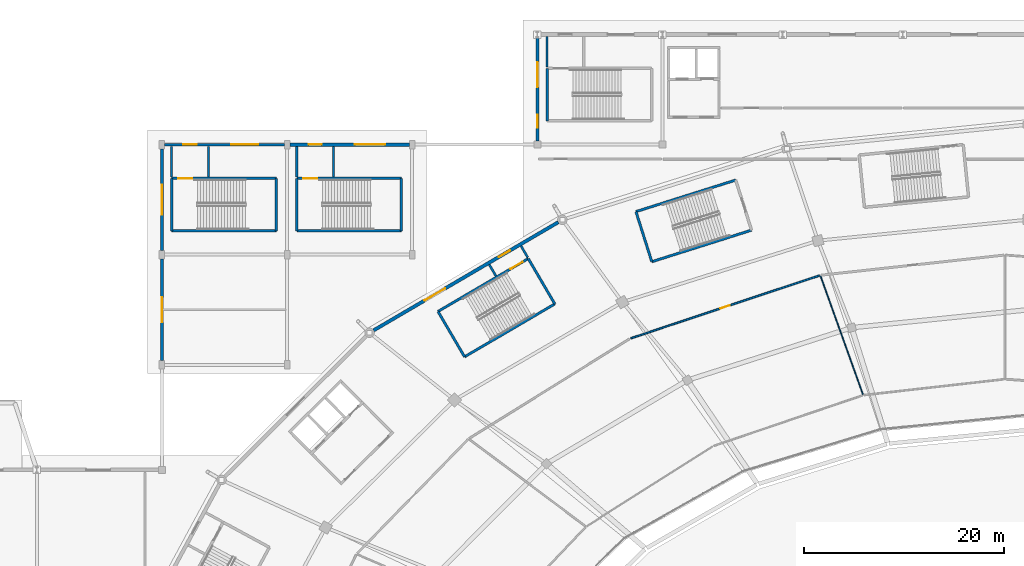
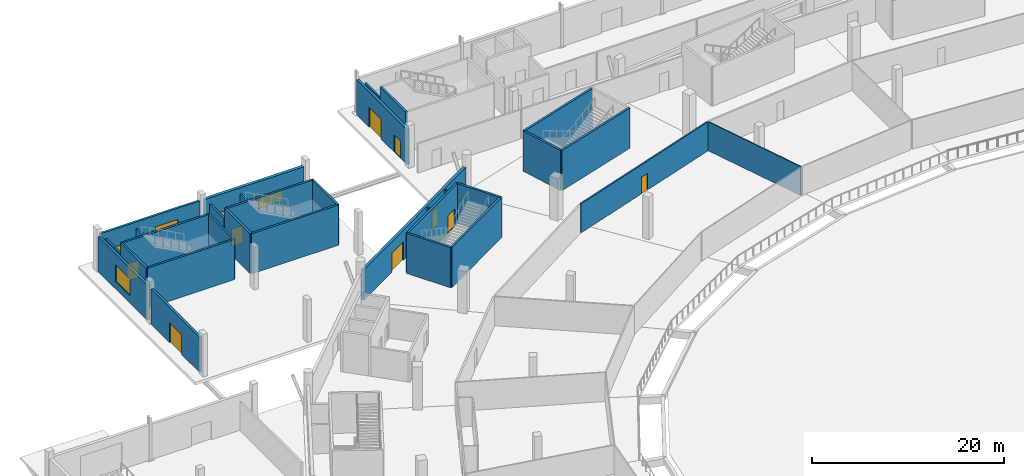
# One storey, part 49 of 82: 31 walls, 11 doors, 3 windows, 14 openings.
"""IFC4 building model written with IfcOpenShell, lengths in metres."""

import ifcopenshell
import ifcopenshell.guid

model = None  # the IFC model being written
_history = None  # IfcOwnerHistory: only IFC2X3 demands one
_inside = {}  # id of a spatial element -> (the spatial element, [elements in it])
_under = {}  # id of a project, library or spatial element -> (it, [spatial elements below it])
_declared = {}  # id of a project -> (the project, [libraries it declares])
_typed = {}  # id of a type object -> (the type object, [elements of that type])
_made_of = {}  # id of a material, layer set ... -> (it, [elements and type objects made of it])


def new_model(schema):
    """Start an empty IFC model of exactly this schema.

    Asked for "IFC4X3", IfcOpenShell would pick the latest addendum, in which some entities
    have other attributes; the version numbers below select the first issue.
    IFC2X3 requires an IfcOwnerHistory on every rooted entity: one is made here for all.
    """
    global model, _history
    if schema == "IFC4X3":
        model = ifcopenshell.file(schema_version=(4, 3, 0, 0))
    else:
        model = ifcopenshell.file(schema=schema)
    _inside.clear()
    _under.clear()
    _declared.clear()
    _typed.clear()
    _made_of.clear()
    _history = None
    if model.schema == "IFC2X3":
        org = make("IfcOrganization", Name="unknown")
        user = make(
            "IfcPersonAndOrganization",
            ThePerson=make("IfcPerson", FamilyName="unknown"),
            TheOrganization=org,
        )
        app = make(
            "IfcApplication",
            ApplicationDeveloper=org,
            Version="unknown",
            ApplicationFullName="unknown",
            ApplicationIdentifier="unknown",
        )
        _history = make(
            "IfcOwnerHistory",
            OwningUser=user,
            OwningApplication=app,
            ChangeAction="ADDED",
            CreationDate=0,
        )
    return model


def make(cls, **values):
    """One entity of the class cls with the attributes given. An attribute that is None is left unset."""
    return model.create_entity(
        cls, **{name: value for name, value in values.items() if value is not None}
    )


def rooted(cls, **values):
    """An entity with a GlobalId (a new one), such as an element, a storey or a relation."""
    return make(cls, GlobalId=ifcopenshell.guid.new(), OwnerHistory=_history, **values)


def si_unit(unit_type, name, prefix=None):
    """IfcSIUnit, for example si_unit("LENGTHUNIT", "METRE", prefix="MILLI")."""
    return make("IfcSIUnit", UnitType=unit_type, Prefix=prefix, Name=name)


def assignment(units):
    """IfcUnitAssignment: the units of a project."""
    return None if units is None else make("IfcUnitAssignment", Units=units)


def point(xyz):
    """IfcCartesianPoint."""
    return None if xyz is None else make("IfcCartesianPoint", Coordinates=xyz)


def direction(xyz):
    """IfcDirection."""
    return None if xyz is None else make("IfcDirection", DirectionRatios=xyz)


def frame(location, z_axis=None, x_axis=None):
    """IfcAxis2Placement3D, a coordinate frame: its origin and axes. An axis left out is left unset."""
    return make(
        "IfcAxis2Placement3D",
        Location=point(location),
        Axis=direction(z_axis),
        RefDirection=direction(x_axis),
    )


def frame_2d(location, x_axis=None):
    """IfcAxis2Placement2D, a coordinate frame in the plane: its origin and x axis."""
    return make(
        "IfcAxis2Placement2D", Location=point(location), RefDirection=direction(x_axis)
    )


def origin():
    """The frame at (0, 0, 0) with its axes left unset."""
    return frame((0.0, 0.0, 0.0))


def place(relative_to, where):
    """IfcLocalPlacement: puts the frame where relative to a parent placement (None: the world)."""
    return make(
        "IfcLocalPlacement", PlacementRelTo=relative_to, RelativePlacement=where
    )


def context(
    kind, dimensions, precision=None, world=None, true_north=None, identifier=None
):
    """IfcGeometricRepresentationContext, for example the 3D "Model" context."""
    return make(
        "IfcGeometricRepresentationContext",
        ContextIdentifier=identifier,
        ContextType=kind,
        CoordinateSpaceDimension=dimensions,
        Precision=precision,
        WorldCoordinateSystem=world,
        TrueNorth=true_north,
    )


def subcontext(parent, identifier, kind, view, scale=None):
    """IfcGeometricRepresentationSubContext, for example "Body" below "Model"."""
    return make(
        "IfcGeometricRepresentationSubContext",
        ContextIdentifier=identifier,
        ContextType=kind,
        ParentContext=parent,
        TargetScale=scale,
        TargetView=view,
    )


def project(units=None, contexts=None):
    """IfcProject with its units and contexts."""
    return rooted(
        "IfcProject",
        Name="project",
        RepresentationContexts=contexts,
        UnitsInContext=assignment(units),
    )


def spatial(cls, under=None, at=None, **own):
    """A site, building, storey or space (cls), placed at a placement, below another one or the project."""
    s = rooted(cls, ObjectPlacement=at, **own)
    if under is not None:
        _under.setdefault(under.id(), (under, []))[1].append(s)
    return s


def profile(cls, at=None, kind="AREA", **sizes):
    """A parametric profile (cls). Its sizes go by their IFC names, for example OverallWidth=200.0."""
    return make(cls, ProfileType=kind, Position=at, **sizes)


def rectangle(**sizes):
    """IfcRectangleProfileDef."""
    return profile("IfcRectangleProfileDef", **sizes)


def extrude(swept, where, along, depth):
    """IfcExtrudedAreaSolid: the profile swept, set in the frame where, extruded along a direction by depth."""
    return make(
        "IfcExtrudedAreaSolid",
        SweptArea=swept,
        Position=where,
        ExtrudedDirection=direction(along),
        Depth=depth,
    )


def shape(context_of_items, identifier, shape_type, items):
    """IfcShapeRepresentation: the items that make up one representation, for example the "Body"."""
    return make(
        "IfcShapeRepresentation",
        ContextOfItems=context_of_items,
        RepresentationIdentifier=identifier,
        RepresentationType=shape_type,
        Items=items,
    )


def material(Name=None, Category=None):
    """IfcMaterial."""
    return make("IfcMaterial", Name=Name, Category=Category)


def layer(
    of_material, thickness, ventilated=None, Name=None, Category=None, Priority=None
):
    """IfcMaterialLayer: one layer of a wall or slab, of a material (None: an air gap)."""
    return make(
        "IfcMaterialLayer",
        Material=of_material,
        LayerThickness=thickness,
        IsVentilated=ventilated,
        Name=Name,
        Category=Category,
        Priority=Priority,
    )


def layer_set(layers, Name=None):
    """IfcMaterialLayerSet."""
    return make("IfcMaterialLayerSet", MaterialLayers=layers, LayerSetName=Name)


def made_of(thing, what):
    """Note that an element or type object is made of a material, layer set ...; save() writes the relation."""
    if what is not None:
        _made_of.setdefault(what.id(), (what, []))[1].append(thing)
    return thing


def type_object(cls, material=None, **own):
    """A type object (cls), such as IfcWallType, which elements share."""
    return made_of(rooted(cls, **own), material)


def element(
    cls,
    number,
    at=None,
    inside=None,
    cuts=None,
    type_object=None,
    material=None,
    context=None,
    identifier="Body",
    shape_type=None,
    held_by="IfcProductDefinitionShape",
    body=None,
    shapes=None,
    **own,
):
    """One element of the class cls, such as IfcWall. Its Tag is "e" and its number.

    at: its placement. inside: the storey or other place that contains it. cuts: it is an
    opening in that element (IfcRelVoidsElement). A single representation is given by context,
    identifier, shape_type and body (its items); several are given by shapes. held_by: the class
    of the entity that holds the representations. save() writes the other relations.
    """
    e = rooted(cls, Tag="e%d" % number, ObjectPlacement=at, **own)
    if body is not None:
        shapes = [shape(context, identifier, shape_type, body)]
    if shapes is not None:
        e.Representation = make(held_by, Representations=shapes)
    if inside is not None:
        _inside.setdefault(inside.id(), (inside, []))[1].append(e)
    if cuts is not None:
        rooted(
            "IfcRelVoidsElement", RelatingBuildingElement=cuts, RelatedOpeningElement=e
        )
    if type_object is not None:
        _typed.setdefault(type_object.id(), (type_object, []))[1].append(e)
    return made_of(e, material)


def fill(opening, filler):
    """IfcRelFillsElement: the door or window that sits in an opening."""
    return rooted(
        "IfcRelFillsElement",
        RelatingOpeningElement=opening,
        RelatedBuildingElement=filler,
    )


def aggregate(whole, parts):
    """IfcRelAggregates: a whole, such as a stair, and the parts it consists of."""
    return rooted("IfcRelAggregates", RelatingObject=whole, RelatedObjects=parts)


def save(model, path):
    """Write the relations noted so far, then the file.

    IfcRelAggregates (storeys below a building ...), IfcRelContainedInSpatialStructure (elements
    in a storey), IfcRelDefinesByType, IfcRelAssociatesMaterial and IfcRelDeclares: one each for
    every whole, place, type object, material and project.
    """
    for whole, parts in _under.values():
        aggregate(whole, parts)
    for where, things in _inside.values():
        rooted(
            "IfcRelContainedInSpatialStructure",
            RelatedElements=things,
            RelatingStructure=where,
        )
    for kind, things in _typed.values():
        rooted("IfcRelDefinesByType", RelatedObjects=things, RelatingType=kind)
    for what, things in _made_of.values():
        rooted("IfcRelAssociatesMaterial", RelatedObjects=things, RelatingMaterial=what)
    for by, libraries in _declared.values():
        rooted("IfcRelDeclares", RelatingContext=by, RelatedDefinitions=libraries)
    model.write(path)


model = new_model("IFC4")

# Units and contexts
model_context = context("Model", 3, precision=1e-05, world=origin(), true_north=direction((0.0, 1.0)))
body_context = subcontext(model_context, "Body", "Model", "MODEL_VIEW")
ifc_project = project(units=[si_unit("LENGTHUNIT", "METRE"), si_unit("AREAUNIT", "SQUARE_METRE"), si_unit("VOLUMEUNIT", "CUBIC_METRE"), si_unit("PLANEANGLEUNIT", "RADIAN"), si_unit("MASSUNIT", "GRAM", prefix="KILO")], contexts=[model_context])

# Site, building, storey
site_placement = place(None, origin())
site = spatial("IfcSite", under=ifc_project, at=site_placement, CompositionType="ELEMENT")
building_placement = place(site_placement, origin())
building = spatial("IfcBuilding", under=site, at=building_placement, Name="Zlatoyarsky Gate Stadium", CompositionType="ELEMENT")
storey_placement = place(building_placement, origin())
storey = spatial("IfcBuildingStorey", under=building, at=storey_placement, Name="L00", CompositionType="ELEMENT", Elevation=0.0)

# Wall, opening, door
ifc_material_1 = material(Name="Double-stud acoustic gypsum partition", Category="gypsum")
ifc_layer_1 = layer(ifc_material_1, 0.169921875)
ifc_layer_set_1 = layer_set([ifc_layer_1], Name="Double-stud acoustic gypsum partition")
wall_type_1 = type_object("IfcWallType", Name="ACOUSTIC BROADCAST STUDIO WALL 170", PredefinedType="PARTITIONING", material=ifc_layer_set_1)
wall_1_placement = place(storey_placement, frame((90.183349609375, 135.920654296875, 0.0), z_axis=(0.0, 0.0, 1.0), x_axis=(-0.948842999625, -0.315748257419, 0.0)))
wall_1 = element("IfcWall", 1, at=wall_1_placement, inside=storey, type_object=wall_type_1, Name="L00 interior partition PRT-L00-ICC-07", PredefinedType="PARTITIONING", context=body_context, shape_type="SweptSolid", body=[
    extrude(rectangle(XDim=19.8583984375, YDim=0.169921875, at=frame_2d((9.92919921875, 0.0))), origin(), (0.0, 0.0, 1.0), 3.68994140625),
])
opening_1_placement = place(wall_1_placement, frame((9.44921875, 0.0, 0.0)))
opening_1 = element("IfcOpeningElement", 2, at=opening_1_placement, cuts=wall_1, Name="Opening D-L00-130", PredefinedType="OPENING", context=body_context, shape_type="SweptSolid", body=[
    extrude(rectangle(XDim=0.9599609375, YDim=2.10009765625, at=frame_2d((0.47998046875, 1.050048828125))), frame((0.0, 0.094970703125, 0.0), z_axis=(0.0, -1.0, 0.0), x_axis=(1.0, 0.0, 0.0)), (0.0, 0.0, 1.0), 0.18994140625),
])
ifc_material_2 = material(Name="Powder-coated steel fire door", Category="steel")
door_type_1 = type_object("IfcDoorType", Name="ACOUSTIC INTERIOR DOOR 960X2100", OperationType="NOTDEFINED", PredefinedType="DOOR", material=ifc_material_2)
door_1_placement = place(opening_1_placement, origin())
door_1 = element("IfcDoor", 3, at=door_1_placement, inside=storey, type_object=door_type_1, Name="L00 room door D-L00-130", OperationType="SINGLE_SWING_RIGHT", OverallHeight=2.10009765625, OverallWidth=0.9599609375, PredefinedType="DOOR", context=body_context, shape_type="SweptSolid", body=[
    extrude(rectangle(XDim=0.9599609375, YDim=2.10009765625, at=frame_2d((0.47998046875, 1.050048828125))), frame((0.0, 0.02490234375, 0.0), z_axis=(0.0, -1.0, 0.0), x_axis=(1.0, 0.0, 0.0)), (0.0, 0.0, 1.0), 0.050048828125),
])
fill(opening_1, door_1)

# Wall
ifc_material_3 = material(Name="Concrete C40/50", Category="concrete")
ifc_layer_2 = layer(ifc_material_3, 0.25)
ifc_layer_set_2 = layer_set([ifc_layer_2], Name="Concrete C40/50")
wall_type_2 = type_object("IfcWallType", Name="CONCRETE STAIR CORE SHEAR WALL 250", PredefinedType="SHEAR", material=ifc_layer_set_2)
wall_2_placement = place(storey_placement, frame((63.74658203125, 133.083984375, 0.0), z_axis=(0.0, 0.0, 1.0), x_axis=(-0.505460490551, 0.862849750821, 0.0)))
element("IfcWall", 4, at=wall_2_placement, inside=storey, type_object=wall_type_2, Name="ST-05 L00 stair core entrance shear wall", PredefinedType="SHEAR", context=body_context, shape_type="SweptSolid", body=[
    extrude(rectangle(XDim=5.249755859375, YDim=0.25, at=frame_2d((2.625, 0.0))), origin(), (0.0, 0.0, 1.0), 5.10009765625),
])

# Wall, opening, door
wall_3_placement = place(storey_placement, frame((61.093017578125, 137.61376953125, 0.0), z_axis=(0.0, 0.0, 1.0), x_axis=(-0.862854686184, -0.505452065513, 0.0)))
wall_3 = element("IfcWall", 5, at=wall_3_placement, inside=storey, type_object=wall_type_2, Name="ST-05 L00 stair core left shear wall", PredefinedType="SHEAR", context=body_context, shape_type="SweptSolid", body=[
    extrude(rectangle(XDim=10.449951171875, YDim=0.25, at=frame_2d((5.22509765625, 0.0))), origin(), (0.0, 0.0, 1.0), 5.10009765625),
])
opening_2_placement = place(wall_3_placement, frame((0.64990234375, 0.0, 0.0)))
opening_2 = element("IfcOpeningElement", 6, at=opening_2_placement, cuts=wall_3, Name="Opening SD-ST-05-L00", PredefinedType="OPENING", context=body_context, shape_type="SweptSolid", body=[
    extrude(rectangle(XDim=1.39990234375, YDim=2.199951171875, at=frame_2d((0.699951171875, 1.10009765625))), frame((0.0, 0.135009765625, 0.0), z_axis=(0.0, -1.0, 0.0), x_axis=(1.0, 0.0, 0.0)), (0.0, 0.0, 1.0), 0.27001953125),
])
door_type_2 = type_object("IfcDoorType", Name="STAIR CORE FIRE EXIT DOOR 1400X2200", OperationType="NOTDEFINED", PredefinedType="DOOR", material=ifc_material_2)
door_2_placement = place(opening_2_placement, frame((1.39990234375, 0.0, 0.0), z_axis=(0.0, 0.0, 1.0), x_axis=(-1.0, 0.0, 0.0)))
door_2 = element("IfcDoor", 7, at=door_2_placement, inside=storey, type_object=door_type_2, Name="ST-05 L00 protected exit discharge fire door", OperationType="SINGLE_SWING_RIGHT", OverallHeight=2.199951171875, OverallWidth=1.39990234375, PredefinedType="DOOR", context=body_context, shape_type="SweptSolid", body=[
    extrude(rectangle(XDim=1.39990234375, YDim=2.199951171875, at=frame_2d((0.699951171875, 1.10009765625))), frame((0.0, 0.02490234375, 0.0), z_axis=(0.0, -1.0, 0.0), x_axis=(1.0, 0.0, 0.0)), (0.0, 0.0, 1.0), 0.050048828125),
])
fill(opening_2, door_2)

# Walls
wall_4_placement = place(storey_placement, frame((52.076171875, 132.331787109375, 0.0), z_axis=(0.0, 0.0, 1.0), x_axis=(0.505474830399, -0.862841350327, 0.0)))
element("IfcWall", 8, at=wall_4_placement, inside=storey, type_object=wall_type_2, Name="ST-05 L00 stair core far shear wall", PredefinedType="SHEAR", context=body_context, shape_type="SweptSolid", body=[
    extrude(rectangle(XDim=5.250244140625, YDim=0.25, at=frame_2d((2.625, 0.0))), origin(), (0.0, 0.0, 1.0), 5.10009765625),
])
for number, where, z_axis, x_axis, name in (
    (9, (54.72998046875, 127.8017578125, 0.0), (0.0, 0.0, 1.0), (0.862838527648, 0.505479648657, 0.0), "ST-05 L00 stair core right shear wall"),
    (10, (81.8173828125, 145.457763671875, 0.0), (0.0, 0.0, 1.0), (-0.953459710305, -0.301520448438, 0.0), "ST-14 L00 stair core left shear wall"),
):
    element("IfcWall", number, at=place(storey_placement, frame(where, z_axis=z_axis, x_axis=x_axis)), inside=storey, type_object=wall_type_2, Name=name, PredefinedType="SHEAR", context=body_context, shape_type="SweptSolid", body=[
        extrude(rectangle(XDim=10.449951171875, YDim=0.25, at=frame_2d((5.22509765625, 0.0))), origin(), (0.0, 0.0, 1.0), 5.10009765625),
    ])
wall_5_placement = place(storey_placement, frame((71.853759765625, 142.306884765625, 0.0), z_axis=(0.0, 0.0, 1.0), x_axis=(0.30152749866, -0.953457480726, 0.0)))
element("IfcWall", 11, at=wall_5_placement, inside=storey, type_object=wall_type_2, Name="ST-14 L00 stair core far shear wall", PredefinedType="SHEAR", context=body_context, shape_type="SweptSolid", body=[
    extrude(rectangle(XDim=5.25, YDim=0.25, at=frame_2d((2.625, 0.0))), origin(), (0.0, 0.0, 1.0), 5.10009765625),
])
wall_6_placement = place(storey_placement, frame((73.436767578125, 137.30126953125, 0.0), z_axis=(0.0, 0.0, 1.0), x_axis=(0.953459710305, 0.301520448438, 0.0)))
element("IfcWall", 12, at=wall_6_placement, inside=storey, type_object=wall_type_2, Name="ST-14 L00 stair core right shear wall", PredefinedType="SHEAR", context=body_context, shape_type="SweptSolid", body=[
    extrude(rectangle(XDim=10.449951171875, YDim=0.25, at=frame_2d((5.22509765625, 0.0))), origin(), (0.0, 0.0, 1.0), 5.10009765625),
])
wall_7_placement = place(storey_placement, frame((25.47509765625, 145.625, 0.0), z_axis=(0.0, 0.0, 1.0), x_axis=(0.0, -1.0, 0.0)))
element("IfcWall", 13, at=wall_7_placement, inside=storey, type_object=wall_type_2, Name="ST-25 L00 stair core entrance shear wall", PredefinedType="SHEAR", context=body_context, shape_type="SweptSolid", body=[
    extrude(rectangle(XDim=5.25, YDim=0.25, at=frame_2d((2.625, 0.0))), origin(), (0.0, 0.0, 1.0), 5.10009765625),
])
wall_8_placement = place(storey_placement, frame((25.47509765625, 140.375, 0.0), z_axis=(0.0, 0.0, 1.0), x_axis=(1.0, 0.0, 0.0)))
element("IfcWall", 14, at=wall_8_placement, inside=storey, type_object=wall_type_2, Name="ST-25 L00 stair core left shear wall", PredefinedType="SHEAR", context=body_context, shape_type="SweptSolid", body=[
    extrude(rectangle(XDim=10.449951171875, YDim=0.25, at=frame_2d((5.22509765625, 0.0))), origin(), (0.0, 0.0, 1.0), 5.10009765625),
])
wall_9_placement = place(storey_placement, frame((35.925048828125, 140.375, 0.0), z_axis=(0.0, 0.0, 1.0), x_axis=(0.0, 1.0, 0.0)))
element("IfcWall", 15, at=wall_9_placement, inside=storey, type_object=wall_type_2, Name="ST-25 L00 stair core far shear wall", PredefinedType="SHEAR", context=body_context, shape_type="SweptSolid", body=[
    extrude(rectangle(XDim=5.25, YDim=0.25, at=frame_2d((2.625, 0.0))), origin(), (0.0, 0.0, 1.0), 5.10009765625),
])

# Wall, opening, door
wall_10_placement = place(storey_placement, frame((35.925048828125, 145.625, 0.0), z_axis=(0.0, 0.0, 1.0), x_axis=(-1.0, 0.0, 0.0)))
wall_10 = element("IfcWall", 16, at=wall_10_placement, inside=storey, type_object=wall_type_2, Name="ST-25 L00 stair core right shear wall", PredefinedType="SHEAR", context=body_context, shape_type="SweptSolid", body=[
    extrude(rectangle(XDim=10.449951171875, YDim=0.25, at=frame_2d((5.22509765625, 0.0))), origin(), (0.0, 0.0, 1.0), 5.10009765625),
])
opening_3_placement = place(wall_10_placement, frame((8.39990234375, 0.0, 0.0)))
opening_3 = element("IfcOpeningElement", 17, at=opening_3_placement, cuts=wall_10, Name="Opening SD-ST-25-L00", PredefinedType="OPENING", context=body_context, shape_type="SweptSolid", body=[
    extrude(rectangle(XDim=1.39990234375, YDim=2.199951171875, at=frame_2d((0.699951171875, 1.10009765625))), frame((0.0, 0.135009765625, 0.0), z_axis=(0.0, -1.0, 0.0), x_axis=(1.0, 0.0, 0.0)), (0.0, 0.0, 1.0), 0.27001953125),
])
door_3_placement = place(opening_3_placement, frame((1.39990234375, 0.0, 0.0), z_axis=(0.0, 0.0, 1.0), x_axis=(-1.0, 0.0, 0.0)))
door_3 = element("IfcDoor", 18, at=door_3_placement, inside=storey, type_object=door_type_2, Name="ST-25 L00 protected exit discharge fire door", OperationType="SINGLE_SWING_RIGHT", OverallHeight=2.199951171875, OverallWidth=1.39990234375, PredefinedType="DOOR", context=body_context, shape_type="SweptSolid", body=[
    extrude(rectangle(XDim=1.39990234375, YDim=2.199951171875, at=frame_2d((0.699951171875, 1.10009765625))), frame((0.0, 0.02490234375, 0.0), z_axis=(0.0, -1.0, 0.0), x_axis=(1.0, 0.0, 0.0)), (0.0, 0.0, 1.0), 0.050048828125),
])
fill(opening_3, door_3)

# Walls
wall_11_placement = place(storey_placement, frame((37.97509765625, 145.625, 0.0), z_axis=(0.0, 0.0, 1.0), x_axis=(0.0, -1.0, 0.0)))
element("IfcWall", 19, at=wall_11_placement, inside=storey, type_object=wall_type_2, Name="ST-26 L00 stair core entrance shear wall", PredefinedType="SHEAR", context=body_context, shape_type="SweptSolid", body=[
    extrude(rectangle(XDim=5.25, YDim=0.25, at=frame_2d((2.625, 0.0))), origin(), (0.0, 0.0, 1.0), 5.10009765625),
])
wall_12_placement = place(storey_placement, frame((37.97509765625, 140.375, 0.0), z_axis=(0.0, 0.0, 1.0), x_axis=(1.0, 0.0, 0.0)))
element("IfcWall", 20, at=wall_12_placement, inside=storey, type_object=wall_type_2, Name="ST-26 L00 stair core left shear wall", PredefinedType="SHEAR", context=body_context, shape_type="SweptSolid", body=[
    extrude(rectangle(XDim=10.449951171875, YDim=0.25, at=frame_2d((5.22509765625, 0.0))), origin(), (0.0, 0.0, 1.0), 5.10009765625),
])
wall_13_placement = place(storey_placement, frame((48.425048828125, 140.375, 0.0), z_axis=(0.0, 0.0, 1.0), x_axis=(0.0, 1.0, 0.0)))
element("IfcWall", 21, at=wall_13_placement, inside=storey, type_object=wall_type_2, Name="ST-26 L00 stair core far shear wall", PredefinedType="SHEAR", context=body_context, shape_type="SweptSolid", body=[
    extrude(rectangle(XDim=5.25, YDim=0.25, at=frame_2d((2.625, 0.0))), origin(), (0.0, 0.0, 1.0), 5.10009765625),
])

# Wall, opening, door
wall_14_placement = place(storey_placement, frame((48.425048828125, 145.625, 0.0), z_axis=(0.0, 0.0, 1.0), x_axis=(-1.0, 0.0, 0.0)))
wall_14 = element("IfcWall", 22, at=wall_14_placement, inside=storey, type_object=wall_type_2, Name="ST-26 L00 stair core right shear wall", PredefinedType="SHEAR", context=body_context, shape_type="SweptSolid", body=[
    extrude(rectangle(XDim=10.449951171875, YDim=0.25, at=frame_2d((5.22509765625, 0.0))), origin(), (0.0, 0.0, 1.0), 5.10009765625),
])
opening_4_placement = place(wall_14_placement, frame((8.39990234375, 0.0, 0.0)))
opening_4 = element("IfcOpeningElement", 23, at=opening_4_placement, cuts=wall_14, Name="Opening SD-ST-26-L00", PredefinedType="OPENING", context=body_context, shape_type="SweptSolid", body=[
    extrude(rectangle(XDim=1.39990234375, YDim=2.199951171875, at=frame_2d((0.699951171875, 1.10009765625))), frame((0.0, 0.135009765625, 0.0), z_axis=(0.0, -1.0, 0.0), x_axis=(1.0, 0.0, 0.0)), (0.0, 0.0, 1.0), 0.27001953125),
])
door_4_placement = place(opening_4_placement, frame((1.39990234375, 0.0, 0.0), z_axis=(0.0, 0.0, 1.0), x_axis=(-1.0, 0.0, 0.0)))
door_4 = element("IfcDoor", 24, at=door_4_placement, inside=storey, type_object=door_type_2, Name="ST-26 L00 protected exit discharge fire door", OperationType="SINGLE_SWING_LEFT", OverallHeight=2.199951171875, OverallWidth=1.39990234375, PredefinedType="DOOR", context=body_context, shape_type="SweptSolid", body=[
    extrude(rectangle(XDim=1.39990234375, YDim=2.199951171875, at=frame_2d((0.699951171875, 1.10009765625))), frame((0.0, 0.02490234375, 0.0), z_axis=(0.0, -1.0, 0.0), x_axis=(1.0, 0.0, 0.0)), (0.0, 0.0, 1.0), 0.050048828125),
])
fill(opening_4, door_4)

# Walls
wall_15_placement = place(storey_placement, frame((62.97509765625, 156.625, 0.0), z_axis=(0.0, 0.0, 1.0), x_axis=(0.0, -1.0, 0.0)))
element("IfcWall", 25, at=wall_15_placement, inside=storey, type_object=wall_type_2, Name="ST-31 L00 stair core entrance shear wall", PredefinedType="SHEAR", context=body_context, shape_type="SweptSolid", body=[
    extrude(rectangle(XDim=5.25, YDim=0.25, at=frame_2d((2.625, 0.0))), origin(), (0.0, 0.0, 1.0), 5.10009765625),
])
ifc_material_4 = material(Name="Autoclaved aerated concrete masonry EI 120", Category="masonry")
ifc_layer_3 = layer(ifc_material_4, 0.219970703125)
ifc_layer_set_3 = layer_set([ifc_layer_3], Name="Autoclaved aerated concrete masonry EI 120")
wall_type_3 = type_object("IfcWallType", Name="FIREFIGHTING LOBBY RATED WALL 220", PredefinedType="PARTITIONING", material=ifc_layer_set_3)
for number, where, z_axis, x_axis, name in (
    (26, (61.03759765625, 137.73779296875, 0.0), (0.0, 0.0, 1.0), (-0.505393167511, 0.862889185373, 0.0), "ST-05 L00 protected exit lobby EI 120 wall 1"),
    (27, (57.8623046875, 135.877685546875, 0.0), (0.0, 0.0, 1.0), (-0.505393167511, 0.862889185373, 0.0), "ST-05 L00 protected exit lobby EI 120 wall 2"),
):
    element("IfcWall", number, at=place(storey_placement, frame(where, z_axis=z_axis, x_axis=x_axis)), inside=storey, type_object=wall_type_3, Name=name, PredefinedType="PARTITIONING", context=body_context, shape_type="SweptSolid", body=[
        extrude(rectangle(XDim=1.3056640625, YDim=0.219970703125, at=frame_2d((0.65283203125, 0.0))), origin(), (0.0, 0.0, 1.0), 3.68994140625),
    ])
for number, where, z_axis, x_axis, name in (
    (28, (25.4599609375, 145.760009765625, 0.0), (0.0, 0.0, 1.0), (0.0, 1.0, 0.0), "ST-25 L00 protected exit lobby EI 120 wall 1"),
    (29, (29.139892578125, 145.760009765625, 0.0), (0.0, 0.0, 1.0), (0.0, 1.0, 0.0), "ST-25 L00 protected exit lobby EI 120 wall 2"),
    (30, (37.9599609375, 145.760009765625, 0.0), (0.0, 0.0, 1.0), (0.0, 1.0, 0.0), "ST-26 L00 protected exit lobby EI 120 wall 1"),
    (31, (41.639892578125, 145.760009765625, 0.0), (0.0, 0.0, 1.0), (0.0, 1.0, 0.0), "ST-26 L00 protected exit lobby EI 120 wall 2"),
    (32, (62.9599609375, 156.760009765625, 0.0), (0.0, 0.0, 1.0), (0.0, 1.0, 0.0), "ST-31 L00 protected exit lobby EI 120 wall 1"),
):
    element("IfcWall", number, at=place(storey_placement, frame(where, z_axis=z_axis, x_axis=x_axis)), inside=storey, type_object=wall_type_3, Name=name, PredefinedType="PARTITIONING", context=body_context, shape_type="SweptSolid", body=[
        extrude(rectangle(XDim=3.050048828125, YDim=0.219970703125, at=frame_2d((1.52490234375, 0.0))), origin(), (0.0, 0.0, 1.0), 3.68994140625),
    ])

# Wall, openings, doors
ifc_material_5 = material(Name="Limestone-faced insulated masonry wall", Category="masonry")
ifc_layer_4 = layer(ifc_material_5, 0.300048828125)
ifc_layer_set_4 = layer_set([ifc_layer_4], Name="Limestone-faced insulated masonry wall")
wall_type_4 = type_object("IfcWallType", Name="INSULATED PAVILION FACADE WALL 300", PredefinedType="STANDARD", material=ifc_layer_set_4)
wall_16_placement = place(storey_placement, frame((62.0, 149.346923828125, 0.0), z_axis=(0.0, 0.0, 1.0), x_axis=(0.0, 1.0, 0.0)))
wall_16 = element("IfcWall", 33, at=wall_16_placement, inside=storey, type_object=wall_type_4, Name="V2_NORTH L00 W exterior wall", PredefinedType="STANDARD", context=body_context, shape_type="SweptSolid", body=[
    extrude(rectangle(XDim=10.406005859375, YDim=0.300048828125, at=frame_2d((5.203125, 0.0))), origin(), (0.0, 0.0, 1.0), 4.47998046875),
])
opening_5_placement = place(wall_16_placement, frame((1.35009765625, 0.0, 0.0)))
opening_5 = element("IfcOpeningElement", 34, at=opening_5_placement, cuts=wall_16, Name="Opening ED-V2NW", PredefinedType="OPENING", context=body_context, shape_type="SweptSolid", body=[
    extrude(rectangle(XDim=1.300048828125, YDim=2.199951171875, at=frame_2d((0.64990234375, 1.10009765625))), frame((0.0, 0.159912109375, 0.0), z_axis=(0.0, -1.0, 0.0), x_axis=(1.0, 0.0, 0.0)), (0.0, 0.0, 1.0), 0.320068359375),
])
opening_6_placement = place(wall_16_placement, frame((5.39990234375, 0.0, 0.0)))
opening_6 = element("IfcOpeningElement", 35, at=opening_6_placement, cuts=wall_16, Name="Opening E09", PredefinedType="OPENING", context=body_context, shape_type="SweptSolid", body=[
    extrude(rectangle(XDim=2.5, YDim=2.5, at=frame_2d((1.25, 1.25))), frame((0.0, 0.159912109375, 0.0), z_axis=(0.0, -1.0, 0.0), x_axis=(1.0, 0.0, 0.0)), (0.0, 0.0, 1.0), 0.320068359375),
])
ifc_material_6 = material(Name="Thermally broken powder-coated steel and laminated safety glass", Category="steel")
door_type_3 = type_object("IfcDoorType", Name="PAVILION ENTRANCE DOUBLE DOOR 2500X2500", OperationType="DOUBLE_DOOR_SINGLE_SWING", PredefinedType="DOOR", material=ifc_material_6)
door_5_placement = place(opening_6_placement, origin())
door_5 = element("IfcDoor", 36, at=door_5_placement, inside=storey, type_object=door_type_3, Name="Exterior door E09", OperationType="DOUBLE_DOOR_SINGLE_SWING", OverallHeight=2.5, OverallWidth=2.5, PredefinedType="DOOR", context=body_context, shape_type="SweptSolid", body=[
    extrude(rectangle(XDim=2.5, YDim=2.5, at=frame_2d((1.25, 1.25))), frame((0.0, 0.02490234375, 0.0), z_axis=(0.0, -1.0, 0.0), x_axis=(1.0, 0.0, 0.0)), (0.0, 0.0, 1.0), 0.050048828125),
])
fill(opening_6, door_5)
door_type_4 = type_object("IfcDoorType", Name="STAIR DISCHARGE FIRE EXIT DOOR 1300X2200", OperationType="NOTDEFINED", PredefinedType="DOOR", material=ifc_material_6)
door_6_placement = place(opening_5_placement, origin())
door_6 = element("IfcDoor", 37, at=door_6_placement, inside=storey, type_object=door_type_4, Name="Exterior door ED-V2NW", OperationType="SINGLE_SWING_LEFT", OverallHeight=2.199951171875, OverallWidth=1.300048828125, PredefinedType="DOOR", context=body_context, shape_type="SweptSolid", body=[
    extrude(rectangle(XDim=1.300048828125, YDim=2.199951171875, at=frame_2d((0.64990234375, 1.10009765625))), frame((0.0, 0.02490234375, 0.0), z_axis=(0.0, -1.0, 0.0), x_axis=(1.0, 0.0, 0.0)), (0.0, 0.0, 1.0), 0.050048828125),
])
fill(opening_5, door_6)

# Wall, opening, door
ifc_material_7 = material(Name="Precast concrete C40/50 architectural panel", Category="concrete")
ifc_layer_5 = layer(ifc_material_7, 0.280029296875)
ifc_layer_set_5 = layer_set([ifc_layer_5], Name="Precast concrete C40/50 architectural panel")
wall_type_5 = type_object("IfcWallType", Name="INSULATED WING SPANDREL WALL 280", PredefinedType="STANDARD", material=ifc_layer_set_5)
wall_17_placement = place(storey_placement, frame((24.5, 127.422119140625, 0.0), z_axis=(0.0, 0.0, 1.0), x_axis=(0.0, 1.0, 0.0)))
wall_17 = element("IfcWall", 38, at=wall_17_placement, inside=storey, type_object=wall_type_5, Name="V6_NW L00 W exterior wall", PredefinedType="STANDARD", context=body_context, shape_type="SweptSolid", body=[
    extrude(rectangle(XDim=10.15576171875, YDim=0.280029296875, at=frame_2d((5.077880859375, 0.0))), origin(), (0.0, 0.0, 1.0), 4.47998046875),
])
opening_7_placement = place(wall_17_placement, frame((3.827880859375, 0.0, 0.0)))
opening_7 = element("IfcOpeningElement", 39, at=opening_7_placement, cuts=wall_17, Name="Opening ED-V6NW", PredefinedType="OPENING", context=body_context, shape_type="SweptSolid", body=[
    extrude(rectangle(XDim=2.5, YDim=2.5, at=frame_2d((1.25, 1.25))), frame((0.0, 0.14990234375, 0.0), z_axis=(0.0, -1.0, 0.0), x_axis=(1.0, 0.0, 0.0)), (0.0, 0.0, 1.0), 0.300048828125),
])
door_7_placement = place(opening_7_placement, origin())
door_7 = element("IfcDoor", 40, at=door_7_placement, inside=storey, type_object=door_type_3, Name="Exterior door ED-V6NW", OperationType="DOUBLE_DOOR_SINGLE_SWING", OverallHeight=2.5, OverallWidth=2.5, PredefinedType="DOOR", context=body_context, shape_type="SweptSolid", body=[
    extrude(rectangle(XDim=2.5, YDim=2.5, at=frame_2d((1.25, 1.25))), frame((0.0, 0.02490234375, 0.0), z_axis=(0.0, -1.0, 0.0), x_axis=(1.0, 0.0, 0.0)), (0.0, 0.0, 1.0), 0.050048828125),
])
fill(opening_7, door_7)

# Wall, opening, window
wall_18_placement = place(storey_placement, frame((24.5, 138.422119140625, 0.0), z_axis=(0.0, 0.0, 1.0), x_axis=(0.0, 1.0, 0.0)))
wall_18 = element("IfcWall", 41, at=wall_18_placement, inside=storey, type_object=wall_type_5, Name="V6_NW L00 W exterior wall", PredefinedType="STANDARD", context=body_context, shape_type="SweptSolid", body=[
    extrude(rectangle(XDim=10.15576171875, YDim=0.280029296875, at=frame_2d((5.077880859375, 0.0))), origin(), (0.0, 0.0, 1.0), 4.47998046875),
])
opening_8_placement = place(wall_18_placement, frame((3.577880859375, 0.0, 0.949951171875)))
opening_8 = element("IfcOpeningElement", 42, at=opening_8_placement, cuts=wall_18, Name="Opening WN-28", PredefinedType="OPENING", context=body_context, shape_type="SweptSolid", body=[
    extrude(rectangle(XDim=3.0, YDim=2.10009765625, at=frame_2d((1.5, 1.050048828125))), frame((0.0, 0.14990234375, 0.0), z_axis=(0.0, -1.0, 0.0), x_axis=(1.0, 0.0, 0.0)), (0.0, 0.0, 1.0), 0.300048828125),
])
ifc_material_8 = material(Name="Triple-glazed thermally broken aluminium window", Category="aluminium")
window_type_1 = type_object("IfcWindowType", Name="TRIPLE GLAZED ALUMINIUM WINDOW 3000X2100", PartitioningType="SINGLE_PANEL", PredefinedType="WINDOW", material=ifc_material_8)
window_1_placement = place(opening_8_placement, origin())
window_1 = element("IfcWindow", 43, at=window_1_placement, inside=storey, type_object=window_type_1, Name="Exterior window WIN-L00-084", OverallHeight=2.10009765625, OverallWidth=3.0, PartitioningType="SINGLE_PANEL", PredefinedType="WINDOW", context=body_context, shape_type="SweptSolid", body=[
    extrude(rectangle(XDim=3.0, YDim=2.10009765625, at=frame_2d((1.5, 1.050048828125))), frame((0.0, 0.030029296875, 0.0), z_axis=(0.0, -1.0, 0.0), x_axis=(1.0, 0.0, 0.0)), (0.0, 0.0, 1.0), 0.06005859375),
])
fill(opening_8, window_1)

# Wall
ifc_material_9 = material(Name="Metal-stud gypsum partition", Category="gypsum")
ifc_layer_6 = layer(ifc_material_9, 0.10009765625)
ifc_layer_set_6 = layer_set([ifc_layer_6], Name="Metal-stud gypsum partition")
wall_type_6 = type_object("IfcWallType", Name="LIGHT STORAGE PARTITION 100", PredefinedType="PARTITIONING", material=ifc_layer_set_6)
wall_19_placement = place(storey_placement, frame((94.531982421875, 124.048828125, 0.0), z_axis=(0.0, 0.0, 1.0), x_axis=(-0.337630664247, 0.94127866998, 0.0)))
element("IfcWall", 44, at=wall_19_placement, inside=storey, type_object=wall_type_6, Name="L00 interior partition PRT-L00-IRD-07", PredefinedType="PARTITIONING", context=body_context, shape_type="SweptSolid", body=[
    extrude(rectangle(XDim=12.555908203125, YDim=0.10009765625, at=frame_2d((6.27783203125, 0.0))), origin(), (0.0, 0.0, 1.0), 3.68994140625),
])

# Wall, openings, door, window
ifc_layer_7 = layer(ifc_material_5, 0.360107421875)
ifc_layer_set_7 = layer_set([ifc_layer_7], Name="Limestone-faced insulated masonry wall")
wall_type_7 = type_object("IfcWallType", Name="LIMESTONE CLAD CAVITY WALL 360", PredefinedType="STANDARD", material=ifc_layer_set_7)
wall_20_placement = place(storey_placement, frame((37.27197265625, 149.0, 0.0), z_axis=(0.0, 0.0, 1.0), x_axis=(1.0, 0.0, 0.0)))
wall_20 = element("IfcWall", 45, at=wall_20_placement, inside=storey, type_object=wall_type_7, Name="V6_NW L00 N exterior wall", PredefinedType="STANDARD", context=body_context, shape_type="SweptSolid", body=[
    extrude(rectangle(XDim=11.9560546875, YDim=0.360107421875, at=frame_2d((5.97802734375, 0.0))), origin(), (0.0, 0.0, 1.0), 4.47998046875),
])
opening_9_placement = place(wall_20_placement, frame((1.8779296875, 0.0, 0.0)))
opening_9 = element("IfcOpeningElement", 46, at=opening_9_placement, cuts=wall_20, Name="Opening ED-ST26", PredefinedType="OPENING", context=body_context, shape_type="SweptSolid", body=[
    extrude(rectangle(XDim=1.300048828125, YDim=2.199951171875, at=frame_2d((0.64990234375, 1.10009765625))), frame((0.0, 0.18994140625, 0.0), z_axis=(0.0, -1.0, 0.0), x_axis=(1.0, 0.0, 0.0)), (0.0, 0.0, 1.0), 0.380126953125),
])
opening_10_placement = place(wall_20_placement, frame((6.511962890625, 0.0, 0.949951171875)))
opening_10 = element("IfcOpeningElement", 47, at=opening_10_placement, cuts=wall_20, Name="Opening WN-25", PredefinedType="OPENING", context=body_context, shape_type="SweptSolid", body=[
    extrude(rectangle(XDim=3.0, YDim=1.35009765625, at=frame_2d((1.5, 0.675048828125))), frame((0.0, 0.18994140625, 0.0), z_axis=(0.0, -1.0, 0.0), x_axis=(1.0, 0.0, 0.0)), (0.0, 0.0, 1.0), 0.380126953125),
])
door_8_placement = place(opening_9_placement, origin())
door_8 = element("IfcDoor", 48, at=door_8_placement, inside=storey, type_object=door_type_4, Name="Exterior door ED-ST26", OperationType="SINGLE_SWING_RIGHT", OverallHeight=2.199951171875, OverallWidth=1.300048828125, PredefinedType="DOOR", context=body_context, shape_type="SweptSolid", body=[
    extrude(rectangle(XDim=1.300048828125, YDim=2.199951171875, at=frame_2d((0.64990234375, 1.10009765625))), frame((0.0, 0.02490234375, 0.0), z_axis=(0.0, -1.0, 0.0), x_axis=(1.0, 0.0, 0.0)), (0.0, 0.0, 1.0), 0.050048828125),
])
fill(opening_9, door_8)
window_type_2 = type_object("IfcWindowType", Name="TRIPLE GLAZED ALUMINIUM WINDOW 3000X1350", PartitioningType="SINGLE_PANEL", PredefinedType="WINDOW", material=ifc_material_8)
window_2_placement = place(opening_10_placement, origin())
window_2 = element("IfcWindow", 49, at=window_2_placement, inside=storey, type_object=window_type_2, Name="Exterior window WIN-L00-081", OverallHeight=1.35009765625, OverallWidth=3.0, PartitioningType="SINGLE_PANEL", PredefinedType="WINDOW", context=body_context, shape_type="SweptSolid", body=[
    extrude(rectangle(XDim=3.0, YDim=1.35009765625, at=frame_2d((1.5, 0.675048828125))), frame((0.0, 0.030029296875, 0.0), z_axis=(0.0, -1.0, 0.0), x_axis=(1.0, 0.0, 0.0)), (0.0, 0.0, 1.0), 0.06005859375),
])
fill(opening_10, window_2)

# Wall, openings, doors
ifc_layer_8 = layer(ifc_material_5, 0.340087890625)
ifc_layer_set_8 = layer_set([ifc_layer_8], Name="Limestone-faced insulated masonry wall")
wall_type_8 = type_object("IfcWallType", Name="LIMESTONE GATE PLINTH WALL 340", PredefinedType="STANDARD", material=ifc_layer_set_8)
wall_21_placement = place(storey_placement, frame((64.10302734375, 141.25537109375, 0.0), z_axis=(0.0, 0.0, 1.0), x_axis=(-0.862843632099, -0.505470935413, 0.0)))
wall_21 = element("IfcWall", 50, at=wall_21_placement, inside=storey, type_object=wall_type_8, Name="L00 bowl exterior plinth wall sector 08", PredefinedType="STANDARD", context=body_context, shape_type="SweptSolid", body=[
    extrude(rectangle(XDim=21.402587890625, YDim=0.340087890625, at=frame_2d((10.701171875, 0.0))), origin(), (0.0, 0.0, 1.0), 3.85009765625),
])
opening_11_placement = place(wall_21_placement, frame((5.61279296875, 0.0, 0.0)))
opening_11 = element("IfcOpeningElement", 51, at=opening_11_placement, cuts=wall_21, Name="Opening ED-ST05", PredefinedType="OPENING", context=body_context, shape_type="SweptSolid", body=[
    extrude(rectangle(XDim=1.300048828125, YDim=2.199951171875, at=frame_2d((0.64990234375, 1.10009765625))), frame((0.0, 0.179931640625, 0.0), z_axis=(0.0, -1.0, 0.0), x_axis=(1.0, 0.0, 0.0)), (0.0, 0.0, 1.0), 0.360107421875),
])
opening_12_placement = place(wall_21_placement, frame((13.102783203125, 0.0, 0.0)))
opening_12 = element("IfcOpeningElement", 52, at=opening_12_placement, cuts=wall_21, Name="Opening G04", PredefinedType="OPENING", context=body_context, shape_type="SweptSolid", body=[
    extrude(rectangle(XDim=2.39990234375, YDim=2.39990234375, at=frame_2d((1.199951171875, 1.199951171875))), frame((0.0, 0.179931640625, 0.0), z_axis=(0.0, -1.0, 0.0), x_axis=(1.0, 0.0, 0.0)), (0.0, 0.0, 1.0), 0.360107421875),
])
door_type_5 = type_object("IfcDoorType", Name="PEDESTRIAN FINAL EXIT DOUBLE DOOR 2400X2400", OperationType="DOUBLE_DOOR_SINGLE_SWING", PredefinedType="DOOR", material=ifc_material_6)
door_9_placement = place(opening_12_placement, frame((2.39990234375, 0.0, 0.0), z_axis=(0.0, 0.0, 1.0), x_axis=(-1.0, 0.0, 0.0)))
door_9 = element("IfcDoor", 53, at=door_9_placement, inside=storey, type_object=door_type_5, Name="Pedestrian exit gate G04", OperationType="DOUBLE_DOOR_SINGLE_SWING", OverallHeight=2.39990234375, OverallWidth=2.39990234375, PredefinedType="DOOR", context=body_context, shape_type="SweptSolid", body=[
    extrude(rectangle(XDim=2.39990234375, YDim=2.39990234375, at=frame_2d((1.199951171875, 1.199951171875))), frame((0.0, 0.02490234375, 0.0), z_axis=(0.0, -1.0, 0.0), x_axis=(1.0, 0.0, 0.0)), (0.0, 0.0, 1.0), 0.050048828125),
])
fill(opening_12, door_9)
door_10_placement = place(opening_11_placement, frame((1.300048828125, 0.0, 0.0), z_axis=(0.0, 0.0, 1.0), x_axis=(-1.0, 0.0, 0.0)))
door_10 = element("IfcDoor", 54, at=door_10_placement, inside=storey, type_object=door_type_4, Name="Stair discharge fire exit door ED-ST05", OperationType="SINGLE_SWING_RIGHT", OverallHeight=2.199951171875, OverallWidth=1.300048828125, PredefinedType="DOOR", context=body_context, shape_type="SweptSolid", body=[
    extrude(rectangle(XDim=1.300048828125, YDim=2.199951171875, at=frame_2d((0.64990234375, 1.10009765625))), frame((0.0, 0.02490234375, 0.0), z_axis=(0.0, -1.0, 0.0), x_axis=(1.0, 0.0, 0.0)), (0.0, 0.0, 1.0), 0.050048828125),
])
fill(opening_11, door_10)

# Wall, openings, door, window
ifc_layer_9 = layer(ifc_material_5, 0.260009765625)
ifc_layer_set_9 = layer_set([ifc_layer_9], Name="Limestone-faced insulated masonry wall")
wall_type_9 = type_object("IfcWallType", Name="PORTICO COLONNADE PLINTH WALL 260", PredefinedType="STANDARD", material=ifc_layer_set_9)
wall_22_placement = place(storey_placement, frame((24.77197265625, 149.0, 0.0), z_axis=(0.0, 0.0, 1.0), x_axis=(1.0, 0.0, 0.0)))
wall_22 = element("IfcWall", 55, at=wall_22_placement, inside=storey, type_object=wall_type_9, Name="V6_NW L00 N exterior wall", PredefinedType="STANDARD", context=body_context, shape_type="SweptSolid", body=[
    extrude(rectangle(XDim=11.9560546875, YDim=0.260009765625, at=frame_2d((5.97802734375, 0.0))), origin(), (0.0, 0.0, 1.0), 4.47998046875),
])
opening_13_placement = place(wall_22_placement, frame((1.8779296875, 0.0, 0.0)))
opening_13 = element("IfcOpeningElement", 56, at=opening_13_placement, cuts=wall_22, Name="Opening ED-ST25", PredefinedType="OPENING", context=body_context, shape_type="SweptSolid", body=[
    extrude(rectangle(XDim=1.300048828125, YDim=2.199951171875, at=frame_2d((0.64990234375, 1.10009765625))), frame((0.0, 0.139892578125, 0.0), z_axis=(0.0, -1.0, 0.0), x_axis=(1.0, 0.0, 0.0)), (0.0, 0.0, 1.0), 0.280029296875),
])
opening_14_placement = place(wall_22_placement, frame((6.662109375, 0.0, 0.949951171875)))
opening_14 = element("IfcOpeningElement", 57, at=opening_14_placement, cuts=wall_22, Name="Opening WN-24", PredefinedType="OPENING", context=body_context, shape_type="SweptSolid", body=[
    extrude(rectangle(XDim=2.699951171875, YDim=2.10009765625, at=frame_2d((1.35009765625, 1.050048828125))), frame((0.0, 0.139892578125, 0.0), z_axis=(0.0, -1.0, 0.0), x_axis=(1.0, 0.0, 0.0)), (0.0, 0.0, 1.0), 0.280029296875),
])
door_11_placement = place(opening_13_placement, origin())
door_11 = element("IfcDoor", 58, at=door_11_placement, inside=storey, type_object=door_type_4, Name="Exterior door ED-ST25", OperationType="SINGLE_SWING_LEFT", OverallHeight=2.199951171875, OverallWidth=1.300048828125, PredefinedType="DOOR", context=body_context, shape_type="SweptSolid", body=[
    extrude(rectangle(XDim=1.300048828125, YDim=2.199951171875, at=frame_2d((0.64990234375, 1.10009765625))), frame((0.0, 0.02490234375, 0.0), z_axis=(0.0, -1.0, 0.0), x_axis=(1.0, 0.0, 0.0)), (0.0, 0.0, 1.0), 0.050048828125),
])
fill(opening_13, door_11)
window_type_3 = type_object("IfcWindowType", Name="TRIPLE GLAZED ALUMINIUM WINDOW 2700X2100", PartitioningType="SINGLE_PANEL", PredefinedType="WINDOW", material=ifc_material_8)
window_3_placement = place(opening_14_placement, origin())
window_3 = element("IfcWindow", 59, at=window_3_placement, inside=storey, type_object=window_type_3, Name="Exterior window WIN-L00-080", OverallHeight=2.10009765625, OverallWidth=2.699951171875, PartitioningType="SINGLE_PANEL", PredefinedType="WINDOW", context=body_context, shape_type="SweptSolid", body=[
    extrude(rectangle(XDim=2.699951171875, YDim=2.10009765625, at=frame_2d((1.35009765625, 1.050048828125))), frame((0.0, 0.030029296875, 0.0), z_axis=(0.0, -1.0, 0.0), x_axis=(1.0, 0.0, 0.0)), (0.0, 0.0, 1.0), 0.06005859375),
])
fill(opening_14, window_3)

save(model, "model.ifc")
